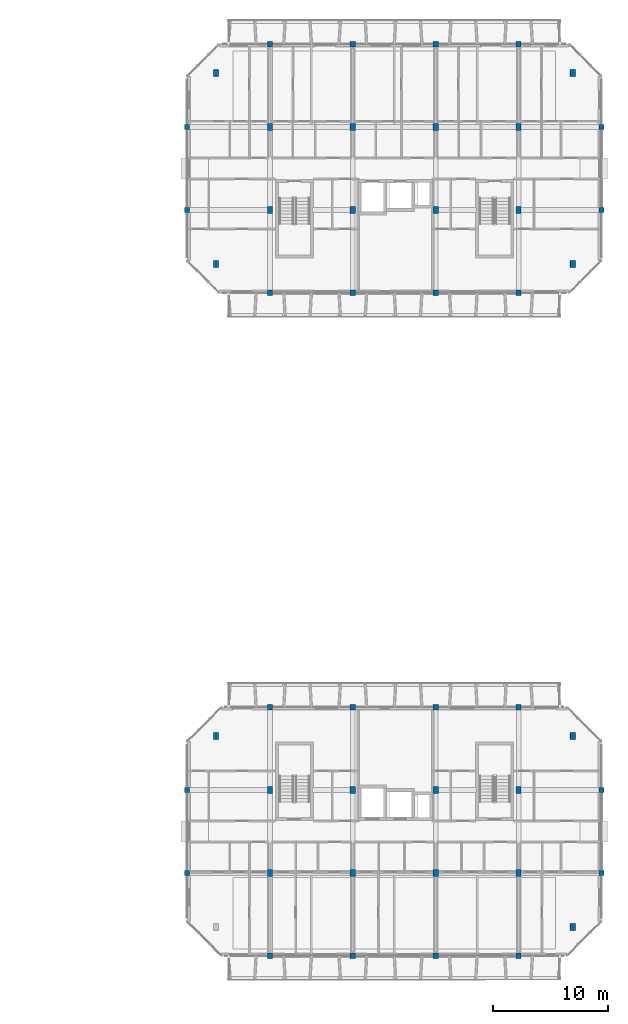
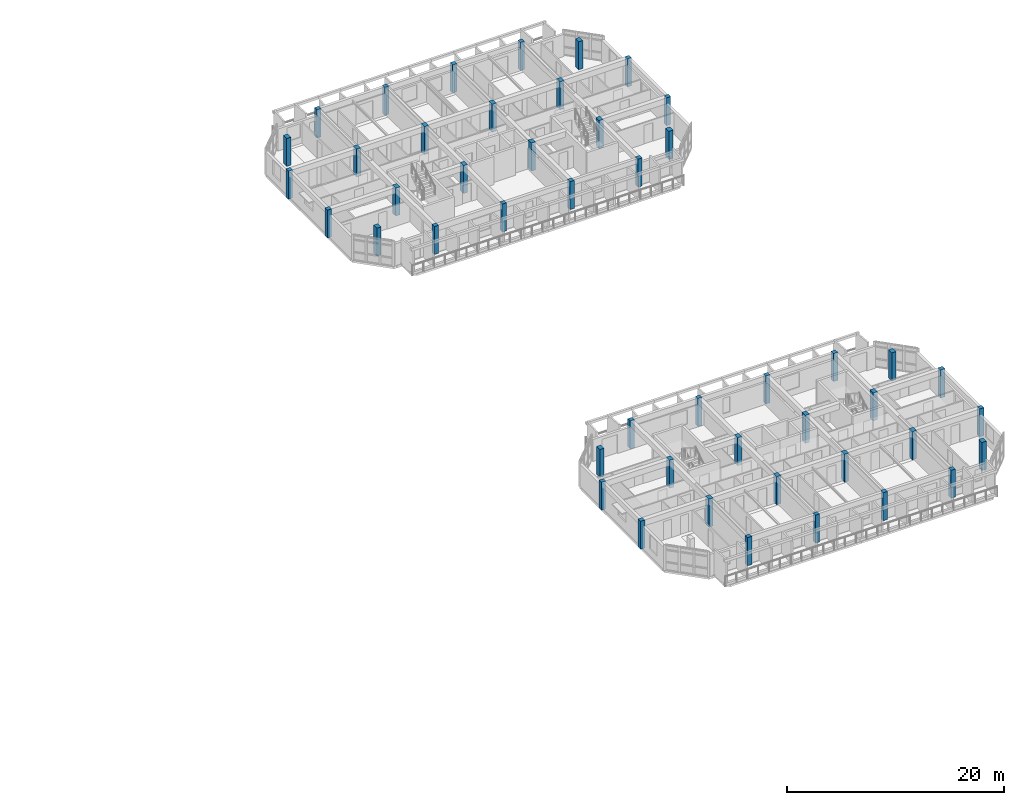
# One storey, part 6 of 43: 47 columns.
"""IFC4 building model written with IfcOpenShell, lengths in metres."""

from ifc_helpers import new_model, si_unit, direction, frame, origin, origin_2d, place, context, subcontext, project, spatial, rectangle, extrude, material, material_profile, profile_set, type_object, element, save


model = new_model("IFC4")

# Units and contexts
model_context = context("Model", 3, precision=1e-05, world=origin(), true_north=direction((0.0, 1.0)))
body_context = subcontext(model_context, "Body", "Model", "MODEL_VIEW")
ifc_project = project(units=[si_unit("LENGTHUNIT", "METRE"), si_unit("AREAUNIT", "SQUARE_METRE"), si_unit("VOLUMEUNIT", "CUBIC_METRE"), si_unit("PLANEANGLEUNIT", "RADIAN"), si_unit("MASSUNIT", "GRAM", prefix="KILO")], contexts=[model_context])

# Site, building, storey
site_placement = place(None, origin())
site = spatial("IfcSite", under=ifc_project, at=site_placement, CompositionType="ELEMENT")
building_placement = place(site_placement, origin())
building = spatial("IfcBuilding", under=site, at=building_placement, Name="Ochrevale Crest", CompositionType="ELEMENT")
storey_placement = place(building_placement, frame((0.0, 0.0, 30.75)))
storey = spatial("IfcBuildingStorey", under=building, at=storey_placement, Name="L09", CompositionType="ELEMENT", Elevation=30.75)

# Columns
ifc_material_1 = material(Name="Precast concrete C40/50", Category="concrete")
ifc_material_profile_1 = material_profile(ifc_material_1, rectangle(XDim=0.449951171875, YDim=0.449951171875, at=origin_2d()), Name="RC 450x450")
ifc_profile_set_1 = profile_set([ifc_material_profile_1], Name="Precast concrete C40/50")
column_type_1 = type_object("IfcColumnType", Name="COL-RC450x450", PredefinedType="COLUMN", material=ifc_profile_set_1)
for number, where, z_axis, x_axis, name in (
    (1, (129.60009765625, 21.60009765625, 0.0), (0.0, 0.0, 1.0), (1.0, 0.0, 0.0), "Block C L09 column (129.6,21.6)"),
    (2, (129.60009765625, 28.800048828125, 0.0), (0.0, 0.0, 1.0), (1.0, 0.0, 0.0), "Block C L09 column (129.6,28.8)"),
    (3, (136.800048828125, 14.39990234375, 0.0), (0.0, 0.0, 1.0), (1.0, 0.0, 0.0), "Block C L09 column (136.8,14.4)"),
    (4, (136.800048828125, 36.0, 0.0), (0.0, 0.0, 1.0), (1.0, 0.0, 0.0), "Block C L09 column (136.8,36.0)"),
    (5, (144.0, 14.39990234375, 0.0), (0.0, 0.0, 1.0), (1.0, 0.0, 0.0), "Block C L09 column (144.0,14.4)"),
    (6, (144.0, 36.0, 0.0), (0.0, 0.0, 1.0), (1.0, 0.0, 0.0), "Block C L09 column (144.0,36.0)"),
    (7, (151.199951171875, 14.39990234375, 0.0), (0.0, 0.0, 1.0), (1.0, 0.0, 0.0), "Block C L09 column (151.2,14.4)"),
    (8, (151.199951171875, 36.0, 0.0), (0.0, 0.0, 1.0), (1.0, 0.0, 0.0), "Block C L09 column (151.2,36.0)"),
    (9, (158.39990234375, 14.39990234375, 0.0), (0.0, 0.0, 1.0), (1.0, 0.0, 0.0), "Block C L09 column (158.4,14.4)"),
    (10, (158.39990234375, 36.0, 0.0), (0.0, 0.0, 1.0), (1.0, 0.0, 0.0), "Block C L09 column (158.4,36.0)"),
    (11, (165.60009765625, 21.60009765625, 0.0), (0.0, 0.0, 1.0), (1.0, 0.0, 0.0), "Block C L09 column (165.6,21.6)"),
    (12, (165.60009765625, 28.800048828125, 0.0), (0.0, 0.0, 1.0), (1.0, 0.0, 0.0), "Block C L09 column (165.6,28.8)"),
    (13, (129.60009765625, 79.199951171875, 0.0), (0.0, 0.0, 1.0), (1.0, 0.0, 0.0), "Block D L09 column (129.6,79.2)"),
    (14, (129.60009765625, 86.39990234375, 0.0), (0.0, 0.0, 1.0), (1.0, 0.0, 0.0), "Block D L09 column (129.6,86.4)"),
    (15, (136.800048828125, 72.0, 0.0), (0.0, 0.0, 1.0), (1.0, 0.0, 0.0), "Block D L09 column (136.8,72.0)"),
    (16, (136.800048828125, 93.60009765625, 0.0), (0.0, 0.0, 1.0), (1.0, 0.0, 0.0), "Block D L09 column (136.8,93.6)"),
    (17, (144.0, 72.0, 0.0), (0.0, 0.0, 1.0), (1.0, 0.0, 0.0), "Block D L09 column (144.0,72.0)"),
    (18, (144.0, 93.60009765625, 0.0), (0.0, 0.0, 1.0), (1.0, 0.0, 0.0), "Block D L09 column (144.0,93.6)"),
    (19, (151.199951171875, 72.0, 0.0), (0.0, 0.0, 1.0), (1.0, 0.0, 0.0), "Block D L09 column (151.2,72.0)"),
    (20, (151.199951171875, 93.60009765625, 0.0), (0.0, 0.0, 1.0), (1.0, 0.0, 0.0), "Block D L09 column (151.2,93.6)"),
    (21, (158.39990234375, 72.0, 0.0), (0.0, 0.0, 1.0), (1.0, 0.0, 0.0), "Block D L09 column (158.4,72.0)"),
    (22, (158.39990234375, 93.60009765625, 0.0), (0.0, 0.0, 1.0), (1.0, 0.0, 0.0), "Block D L09 column (158.4,93.6)"),
    (23, (165.60009765625, 79.199951171875, 0.0), (0.0, 0.0, 1.0), (1.0, 0.0, 0.0), "Block D L09 column (165.6,79.2)"),
    (24, (165.60009765625, 86.39990234375, 0.0), (0.0, 0.0, 1.0), (1.0, 0.0, 0.0), "Block D L09 column (165.6,86.4)"),
):
    element("IfcColumn", number, at=place(storey_placement, frame(where, z_axis=z_axis, x_axis=x_axis)), inside=storey, type_object=column_type_1, Name=name, PredefinedType="COLUMN", context=body_context, shape_type="SweptSolid", body=[
        extrude(rectangle(XDim=0.449951171875, YDim=0.449951171875, at=origin_2d()), origin(), (0.0, 0.0, 1.0), 3.14990234375),
    ])
ifc_material_2 = material(Name="Precast concrete C50/60", Category="concrete")
ifc_material_profile_2 = material_profile(ifc_material_2, rectangle(XDim=0.449951171875, YDim=0.60009765625, at=origin_2d()), Name="RC 450x600")
ifc_profile_set_2 = profile_set([ifc_material_profile_2], Name="Precast concrete C50/60")
column_type_2 = type_object("IfcColumnType", Name="COL-RC450x600", PredefinedType="COLUMN", material=ifc_profile_set_2)
for number, where, z_axis, x_axis, name in (
    (25, (132.10009765625, 33.5, 0.0), (0.0, 0.0, 1.0), (1.0, 0.0, 0.0), "Block C L09 column (132.1,33.5)"),
    (26, (136.800048828125, 21.60009765625, 0.0), (0.0, 0.0, 1.0), (1.0, 0.0, 0.0), "Block C L09 column (136.8,21.6)"),
    (27, (136.800048828125, 28.800048828125, 0.0), (0.0, 0.0, 1.0), (1.0, 0.0, 0.0), "Block C L09 column (136.8,28.8)"),
    (28, (144.0, 21.60009765625, 0.0), (0.0, 0.0, 1.0), (1.0, 0.0, 0.0), "Block C L09 column (144.0,21.6)"),
    (29, (144.0, 28.800048828125, 0.0), (0.0, 0.0, 1.0), (1.0, 0.0, 0.0), "Block C L09 column (144.0,28.8)"),
    (30, (151.199951171875, 21.60009765625, 0.0), (0.0, 0.0, 1.0), (1.0, 0.0, 0.0), "Block C L09 column (151.2,21.6)"),
    (31, (151.199951171875, 28.800048828125, 0.0), (0.0, 0.0, 1.0), (1.0, 0.0, 0.0), "Block C L09 column (151.2,28.8)"),
    (32, (158.39990234375, 21.60009765625, 0.0), (0.0, 0.0, 1.0), (1.0, 0.0, 0.0), "Block C L09 column (158.4,21.6)"),
    (33, (158.39990234375, 28.800048828125, 0.0), (0.0, 0.0, 1.0), (1.0, 0.0, 0.0), "Block C L09 column (158.4,28.8)"),
    (34, (163.10009765625, 16.89990234375, 0.0), (0.0, 0.0, 1.0), (1.0, 0.0, 0.0), "Block C L09 column (163.1,16.9)"),
    (35, (163.10009765625, 33.5, 0.0), (0.0, 0.0, 1.0), (1.0, 0.0, 0.0), "Block C L09 column (163.1,33.5)"),
    (36, (132.10009765625, 74.5, 0.0), (0.0, 0.0, 1.0), (1.0, 0.0, 0.0), "Block D L09 column (132.1,74.5)"),
    (37, (132.10009765625, 91.10009765625, 0.0), (0.0, 0.0, 1.0), (1.0, 0.0, 0.0), "Block D L09 column (132.1,91.1)"),
    (38, (136.800048828125, 79.199951171875, 0.0), (0.0, 0.0, 1.0), (1.0, 0.0, 0.0), "Block D L09 column (136.8,79.2)"),
    (39, (136.800048828125, 86.39990234375, 0.0), (0.0, 0.0, 1.0), (1.0, 0.0, 0.0), "Block D L09 column (136.8,86.4)"),
    (40, (144.0, 79.199951171875, 0.0), (0.0, 0.0, 1.0), (1.0, 0.0, 0.0), "Block D L09 column (144.0,79.2)"),
    (41, (144.0, 86.39990234375, 0.0), (0.0, 0.0, 1.0), (1.0, 0.0, 0.0), "Block D L09 column (144.0,86.4)"),
    (42, (151.199951171875, 79.199951171875, 0.0), (0.0, 0.0, 1.0), (1.0, 0.0, 0.0), "Block D L09 column (151.2,79.2)"),
    (43, (151.199951171875, 86.39990234375, 0.0), (0.0, 0.0, 1.0), (1.0, 0.0, 0.0), "Block D L09 column (151.2,86.4)"),
    (44, (158.39990234375, 79.199951171875, 0.0), (0.0, 0.0, 1.0), (1.0, 0.0, 0.0), "Block D L09 column (158.4,79.2)"),
    (45, (158.39990234375, 86.39990234375, 0.0), (0.0, 0.0, 1.0), (1.0, 0.0, 0.0), "Block D L09 column (158.4,86.4)"),
    (46, (163.10009765625, 74.5, 0.0), (0.0, 0.0, 1.0), (1.0, 0.0, 0.0), "Block D L09 column (163.1,74.5)"),
    (47, (163.10009765625, 91.10009765625, 0.0), (0.0, 0.0, 1.0), (1.0, 0.0, 0.0), "Block D L09 column (163.1,91.1)"),
):
    element("IfcColumn", number, at=place(storey_placement, frame(where, z_axis=z_axis, x_axis=x_axis)), inside=storey, type_object=column_type_2, Name=name, PredefinedType="COLUMN", context=body_context, shape_type="SweptSolid", body=[
        extrude(rectangle(XDim=0.449951171875, YDim=0.60009765625, at=origin_2d()), origin(), (0.0, 0.0, 1.0), 3.14990234375),
    ])

save(model, "model.ifc")
